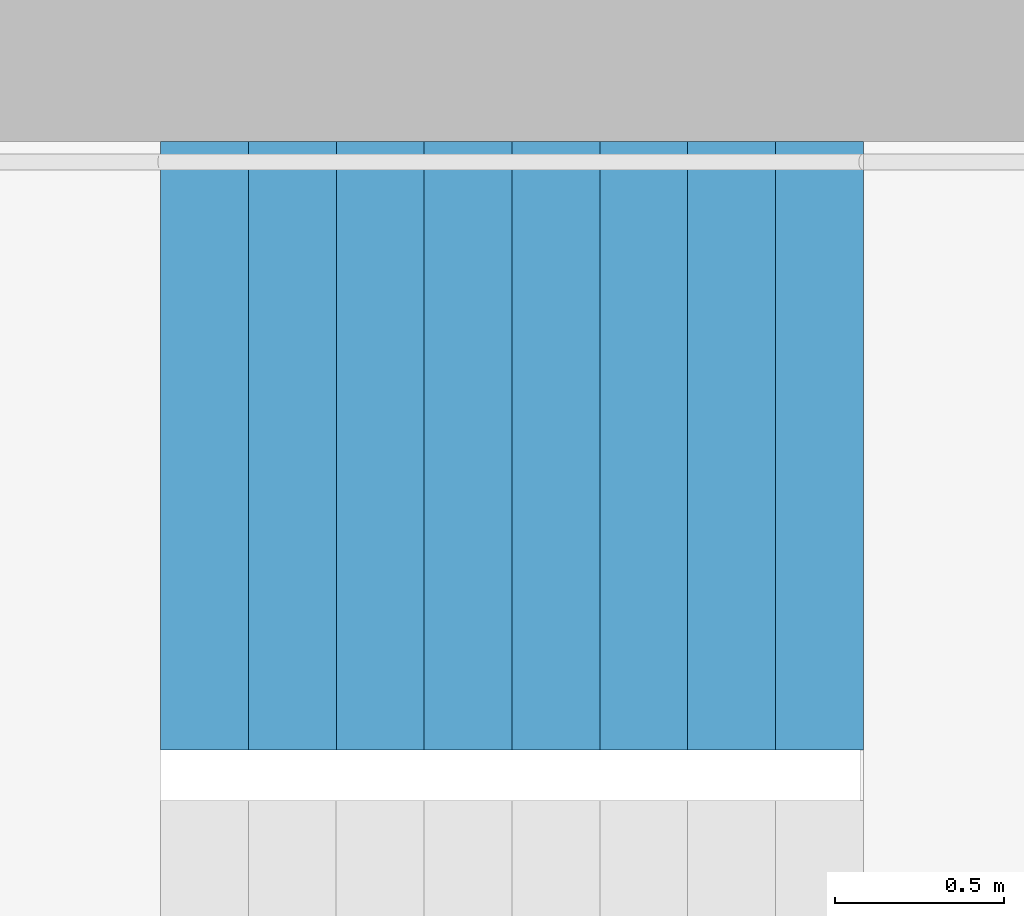
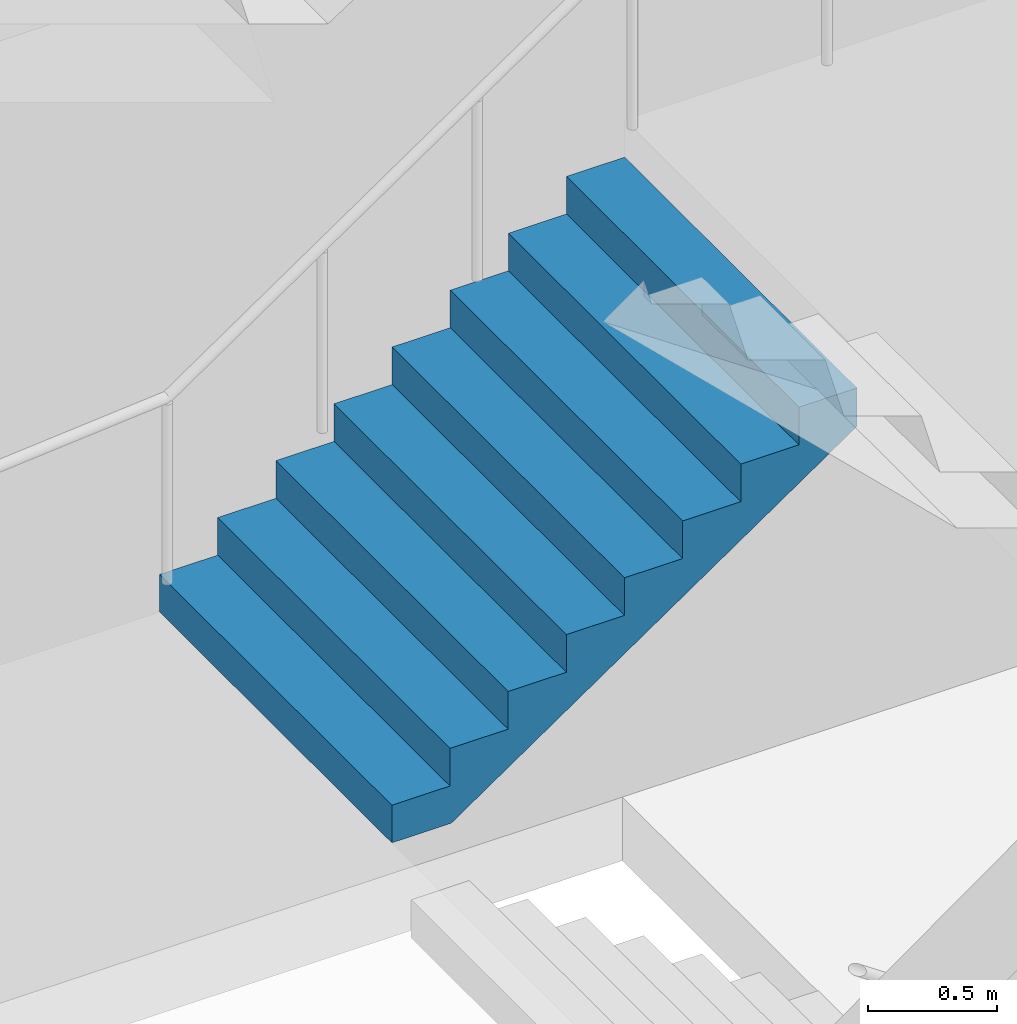
# One storey, part 31 of 43: 1 stair flight, 1 element without a shape of its own.
"""IFC4 building model written with IfcOpenShell, lengths in metres."""

from ifc_helpers import new_model, si_unit, direction, frame, origin, place, context, subcontext, project, spatial, triangles, material, type_object, element, aggregate, save


model = new_model("IFC4")

# Units and contexts
model_context = context("Model", 3, precision=1e-05, world=origin(), true_north=direction((0.0, 1.0)))
body_context = subcontext(model_context, "Body", "Model", "MODEL_VIEW")
ifc_project = project(units=[si_unit("LENGTHUNIT", "METRE"), si_unit("AREAUNIT", "SQUARE_METRE"), si_unit("VOLUMEUNIT", "CUBIC_METRE"), si_unit("PLANEANGLEUNIT", "RADIAN"), si_unit("MASSUNIT", "GRAM", prefix="KILO")], contexts=[model_context])

# Site, building, storey
site_placement = place(None, origin())
site = spatial("IfcSite", under=ifc_project, at=site_placement, CompositionType="ELEMENT")
building_placement = place(site_placement, origin())
building = spatial("IfcBuilding", under=site, at=building_placement, Name="Hakoniwa Tower and Hamabe Station Hall", CompositionType="ELEMENT")
storey_placement = place(building_placement, frame((0.0, 0.0, 124.60009765625)))
storey = spatial("IfcBuildingStorey", under=building, at=storey_placement, Name="L35", CompositionType="ELEMENT", Elevation=124.60009765625)

# Stair, stair flight
ifc_material_1 = material(Name="Concrete C40", Category="concrete")
stair_type = type_object("IfcStairType", Name="ESCAPE STAIR 1800", PredefinedType="HALF_TURN_STAIR", material=ifc_material_1)
stair_placement = place(storey_placement, origin())
stair = element("IfcStair", 1, at=stair_placement, inside=storey, type_object=stair_type, Name="Escape stair ST-3 L35", PredefinedType="HALF_TURN_STAIR")
ifc_material_2 = material(Name="Concrete C40", Category="concrete")
stair_flight_type = type_object("IfcStairFlightType", Name="STAIR FLIGHT 1800", PredefinedType="STRAIGHT", material=ifc_material_2)
stair_flight_placement = place(storey_placement, frame((22.320068359375, 6.60009765625, 1.599853515625), z_axis=(0.0, 0.0, 1.0), x_axis=(1.0, 0.0, 0.0)))
stair_flight = element("IfcStairFlight", 2, at=stair_flight_placement, type_object=stair_flight_type, Name="ST-3 flight 2", NumberOfRisers=9, NumberOfTreads=8, PredefinedType="STRAIGHT", RiserHeight=0.177777778, TreadLength=0.26, context=body_context, shape_type="Tessellation", body=[
    triangles([(0.0, 0.89990234375, 0.0), (0.260009765625, 0.89990234375, 0.0), (0.265625, 0.89990234375, 0.0), (0.52001953125, 0.89990234375, 0.174072265625), (0.780029296875, 0.89990234375, 0.351806640625), (1.0400390625, 0.89990234375, 0.529541015625), (1.300048828125, 0.89990234375, 0.707275390625), (1.56005859375, 0.89990234375, 0.885009765625), (1.820068359375, 0.89990234375, 1.062744140625), (2.080078125, 0.89990234375, 1.24072265625), (2.080078125, 0.89990234375, 1.422119140625), (1.820068359375, 0.89990234375, 1.422119140625), (1.820068359375, 0.89990234375, 1.244384765625), (1.56005859375, 0.89990234375, 1.244384765625), (1.56005859375, 0.89990234375, 1.066650390625), (1.300048828125, 0.89990234375, 1.066650390625), (1.300048828125, 0.89990234375, 0.888916015625), (1.0400390625, 0.89990234375, 0.888916015625), (1.0400390625, 0.89990234375, 0.711181640625), (0.780029296875, 0.89990234375, 0.711181640625), (0.780029296875, 0.89990234375, 0.533447265625), (0.52001953125, 0.89990234375, 0.533447265625), (0.52001953125, 0.89990234375, 0.35546875), (0.265625, 0.89990234375, 0.35546875), (0.260009765625, 0.89990234375, 0.35546875), (0.260009765625, 0.89990234375, 0.177734375), (0.0, 0.89990234375, 0.177734375), (0.0, 0.06005859375, 0.0), (0.260009765625, 0.06005859375, 0.0), (0.265625, 0.06005859375, 0.0), (0.52001953125, 0.06005859375, 0.174072265625), (0.780029296875, 0.06005859375, 0.351806640625), (1.0400390625, 0.06005859375, 0.529541015625), (1.300048828125, 0.06005859375, 0.707275390625), (1.56005859375, 0.06005859375, 0.885009765625), (1.820068359375, 0.06005859375, 1.062744140625), (2.080078125, 0.06005859375, 1.24072265625), (2.080078125, 0.06005859375, 1.422119140625), (1.820068359375, 0.06005859375, 1.422119140625), (1.820068359375, 0.06005859375, 1.244384765625), (1.56005859375, 0.06005859375, 1.244384765625), (1.56005859375, 0.06005859375, 1.066650390625), (1.300048828125, 0.06005859375, 1.066650390625), (1.300048828125, 0.06005859375, 0.888916015625), (1.0400390625, 0.06005859375, 0.888916015625), (1.0400390625, 0.06005859375, 0.711181640625), (0.780029296875, 0.06005859375, 0.711181640625), (0.780029296875, 0.06005859375, 0.533447265625), (0.52001953125, 0.06005859375, 0.533447265625), (0.52001953125, 0.06005859375, 0.35546875), (0.265625, 0.06005859375, 0.35546875), (0.260009765625, 0.06005859375, 0.35546875), (0.260009765625, 0.06005859375, 0.177734375), (0.0, 0.06005859375, 0.177734375), (0.0, 0.04296875, 0.0), (0.260009765625, 0.04296875, 0.0), (0.265625, 0.04296875, 0.0), (0.52001953125, 0.04296875, 0.174072265625), (0.780029296875, 0.04296875, 0.351806640625), (1.0400390625, 0.04296875, 0.529541015625), (1.300048828125, 0.04296875, 0.707275390625), (1.56005859375, 0.04296875, 0.885009765625), (1.820068359375, 0.04296875, 1.062744140625), (2.080078125, 0.04296875, 1.24072265625), (2.080078125, 0.04296875, 1.422119140625), (1.820068359375, 0.04296875, 1.422119140625), (1.820068359375, 0.04296875, 1.244384765625), (1.56005859375, 0.04296875, 1.244384765625), (1.56005859375, 0.04296875, 1.066650390625), (1.300048828125, 0.04296875, 1.066650390625), (1.300048828125, 0.04296875, 0.888916015625), (1.0400390625, 0.04296875, 0.888916015625), (1.0400390625, 0.04296875, 0.711181640625), (0.780029296875, 0.04296875, 0.711181640625), (0.780029296875, 0.04296875, 0.533447265625), (0.52001953125, 0.04296875, 0.533447265625), (0.52001953125, 0.04296875, 0.35546875), (0.265625, 0.04296875, 0.35546875), (0.260009765625, 0.04296875, 0.35546875), (0.260009765625, 0.04296875, 0.177734375), (0.0, 0.04296875, 0.177734375), (0.0, 0.025634765625, 0.0), (0.260009765625, 0.025634765625, 0.0), (0.265625, 0.025634765625, 0.0), (0.52001953125, 0.025634765625, 0.174072265625), (0.780029296875, 0.025634765625, 0.351806640625), (1.0400390625, 0.025634765625, 0.529541015625), (1.300048828125, 0.025634765625, 0.707275390625), (1.56005859375, 0.025634765625, 0.885009765625), (1.820068359375, 0.025634765625, 1.062744140625), (2.080078125, 0.025634765625, 1.24072265625), (2.080078125, 0.025634765625, 1.422119140625), (1.820068359375, 0.025634765625, 1.422119140625), (1.820068359375, 0.025634765625, 1.244384765625), (1.56005859375, 0.025634765625, 1.244384765625), (1.56005859375, 0.025634765625, 1.066650390625), (1.300048828125, 0.025634765625, 1.066650390625), (1.300048828125, 0.025634765625, 0.888916015625), (1.0400390625, 0.025634765625, 0.888916015625), (1.0400390625, 0.025634765625, 0.711181640625), (0.780029296875, 0.025634765625, 0.711181640625), (0.780029296875, 0.025634765625, 0.533447265625), (0.52001953125, 0.025634765625, 0.533447265625), (0.52001953125, 0.025634765625, 0.35546875), (0.265625, 0.025634765625, 0.35546875), (0.260009765625, 0.025634765625, 0.35546875), (0.260009765625, 0.025634765625, 0.177734375), (0.0, 0.025634765625, 0.177734375), (0.0, 0.008544921875, 0.0), (0.260009765625, 0.008544921875, 0.0), (0.265625, 0.008544921875, 0.0), (0.52001953125, 0.008544921875, 0.174072265625), (0.780029296875, 0.008544921875, 0.351806640625), (1.0400390625, 0.008544921875, 0.529541015625), (1.300048828125, 0.008544921875, 0.707275390625), (1.56005859375, 0.008544921875, 0.885009765625), (1.820068359375, 0.008544921875, 1.062744140625), (2.080078125, 0.008544921875, 1.24072265625), (2.080078125, 0.008544921875, 1.422119140625), (1.820068359375, 0.008544921875, 1.422119140625), (1.820068359375, 0.008544921875, 1.244384765625), (1.56005859375, 0.008544921875, 1.244384765625), (1.56005859375, 0.008544921875, 1.066650390625), (1.300048828125, 0.008544921875, 1.066650390625), (1.300048828125, 0.008544921875, 0.888916015625), (1.0400390625, 0.008544921875, 0.888916015625), (1.0400390625, 0.008544921875, 0.711181640625), (0.780029296875, 0.008544921875, 0.711181640625), (0.780029296875, 0.008544921875, 0.533447265625), (0.52001953125, 0.008544921875, 0.533447265625), (0.52001953125, 0.008544921875, 0.35546875), (0.265625, 0.008544921875, 0.35546875), (0.260009765625, 0.008544921875, 0.35546875), (0.260009765625, 0.008544921875, 0.177734375), (0.0, 0.008544921875, 0.177734375), (0.0, -0.008544921875, 0.0), (0.260009765625, -0.008544921875, 0.0), (0.265625, -0.008544921875, 0.0), (0.52001953125, -0.008544921875, 0.174072265625), (0.780029296875, -0.008544921875, 0.351806640625), (1.0400390625, -0.008544921875, 0.529541015625), (1.300048828125, -0.008544921875, 0.707275390625), (1.56005859375, -0.008544921875, 0.885009765625), (1.820068359375, -0.008544921875, 1.062744140625), (2.080078125, -0.008544921875, 1.24072265625), (2.080078125, -0.008544921875, 1.422119140625), (1.820068359375, -0.008544921875, 1.422119140625), (1.820068359375, -0.008544921875, 1.244384765625), (1.56005859375, -0.008544921875, 1.244384765625), (1.56005859375, -0.008544921875, 1.066650390625), (1.300048828125, -0.008544921875, 1.066650390625), (1.300048828125, -0.008544921875, 0.888916015625), (1.0400390625, -0.008544921875, 0.888916015625), (1.0400390625, -0.008544921875, 0.711181640625), (0.780029296875, -0.008544921875, 0.711181640625), (0.780029296875, -0.008544921875, 0.533447265625), (0.52001953125, -0.008544921875, 0.533447265625), (0.52001953125, -0.008544921875, 0.35546875), (0.265625, -0.008544921875, 0.35546875), (0.260009765625, -0.008544921875, 0.35546875), (0.260009765625, -0.008544921875, 0.177734375), (0.0, -0.008544921875, 0.177734375), (0.0, -0.025634765625, 0.0), (0.260009765625, -0.025634765625, 0.0), (0.265625, -0.025634765625, 0.0), (0.52001953125, -0.025634765625, 0.174072265625), (0.780029296875, -0.025634765625, 0.351806640625), (1.0400390625, -0.025634765625, 0.529541015625), (1.300048828125, -0.025634765625, 0.707275390625), (1.56005859375, -0.025634765625, 0.885009765625), (1.820068359375, -0.025634765625, 1.062744140625), (2.080078125, -0.025634765625, 1.24072265625), (2.080078125, -0.025634765625, 1.422119140625), (1.820068359375, -0.025634765625, 1.422119140625), (1.820068359375, -0.025634765625, 1.244384765625), (1.56005859375, -0.025634765625, 1.244384765625), (1.56005859375, -0.025634765625, 1.066650390625), (1.300048828125, -0.025634765625, 1.066650390625), (1.300048828125, -0.025634765625, 0.888916015625), (1.0400390625, -0.025634765625, 0.888916015625), (1.0400390625, -0.025634765625, 0.711181640625), (0.780029296875, -0.025634765625, 0.711181640625), (0.780029296875, -0.025634765625, 0.533447265625), (0.52001953125, -0.025634765625, 0.533447265625), (0.52001953125, -0.025634765625, 0.35546875), (0.265625, -0.025634765625, 0.35546875), (0.260009765625, -0.025634765625, 0.35546875), (0.260009765625, -0.025634765625, 0.177734375), (0.0, -0.025634765625, 0.177734375), (0.0, -0.04296875, 0.0), (0.260009765625, -0.04296875, 0.0), (0.265625, -0.04296875, 0.0), (0.52001953125, -0.04296875, 0.174072265625), (0.780029296875, -0.04296875, 0.351806640625), (1.0400390625, -0.04296875, 0.529541015625), (1.300048828125, -0.04296875, 0.707275390625), (1.56005859375, -0.04296875, 0.885009765625), (1.820068359375, -0.04296875, 1.062744140625), (2.080078125, -0.04296875, 1.24072265625), (2.080078125, -0.04296875, 1.422119140625), (1.820068359375, -0.04296875, 1.422119140625), (1.820068359375, -0.04296875, 1.244384765625), (1.56005859375, -0.04296875, 1.244384765625), (1.56005859375, -0.04296875, 1.066650390625), (1.300048828125, -0.04296875, 1.066650390625), (1.300048828125, -0.04296875, 0.888916015625), (1.0400390625, -0.04296875, 0.888916015625), (1.0400390625, -0.04296875, 0.711181640625), (0.780029296875, -0.04296875, 0.711181640625), (0.780029296875, -0.04296875, 0.533447265625), (0.52001953125, -0.04296875, 0.533447265625), (0.52001953125, -0.04296875, 0.35546875), (0.265625, -0.04296875, 0.35546875), (0.260009765625, -0.04296875, 0.35546875), (0.260009765625, -0.04296875, 0.177734375), (0.0, -0.04296875, 0.177734375), (0.0, -0.06005859375, 0.0), (0.260009765625, -0.06005859375, 0.0), (0.265625, -0.06005859375, 0.0), (0.52001953125, -0.06005859375, 0.174072265625), (0.780029296875, -0.06005859375, 0.351806640625), (1.0400390625, -0.06005859375, 0.529541015625), (1.300048828125, -0.06005859375, 0.707275390625), (1.56005859375, -0.06005859375, 0.885009765625), (1.820068359375, -0.06005859375, 1.062744140625), (2.080078125, -0.06005859375, 1.24072265625), (2.080078125, -0.06005859375, 1.422119140625), (1.820068359375, -0.06005859375, 1.422119140625), (1.820068359375, -0.06005859375, 1.244384765625), (1.56005859375, -0.06005859375, 1.244384765625), (1.56005859375, -0.06005859375, 1.066650390625), (1.300048828125, -0.06005859375, 1.066650390625), (1.300048828125, -0.06005859375, 0.888916015625), (1.0400390625, -0.06005859375, 0.888916015625), (1.0400390625, -0.06005859375, 0.711181640625), (0.780029296875, -0.06005859375, 0.711181640625), (0.780029296875, -0.06005859375, 0.533447265625), (0.52001953125, -0.06005859375, 0.533447265625), (0.52001953125, -0.06005859375, 0.35546875), (0.265625, -0.06005859375, 0.35546875), (0.260009765625, -0.06005859375, 0.35546875), (0.260009765625, -0.06005859375, 0.177734375), (0.0, -0.06005859375, 0.177734375), (0.0, -0.89990234375, 0.0), (0.260009765625, -0.89990234375, 0.0), (0.265625, -0.89990234375, 0.0), (0.52001953125, -0.89990234375, 0.174072265625), (0.780029296875, -0.89990234375, 0.351806640625), (1.0400390625, -0.89990234375, 0.529541015625), (1.300048828125, -0.89990234375, 0.707275390625), (1.56005859375, -0.89990234375, 0.885009765625), (1.820068359375, -0.89990234375, 1.062744140625), (2.080078125, -0.89990234375, 1.24072265625), (2.080078125, -0.89990234375, 1.422119140625), (1.820068359375, -0.89990234375, 1.422119140625), (1.820068359375, -0.89990234375, 1.244384765625), (1.56005859375, -0.89990234375, 1.244384765625), (1.56005859375, -0.89990234375, 1.066650390625), (1.300048828125, -0.89990234375, 1.066650390625), (1.300048828125, -0.89990234375, 0.888916015625), (1.0400390625, -0.89990234375, 0.888916015625), (1.0400390625, -0.89990234375, 0.711181640625), (0.780029296875, -0.89990234375, 0.711181640625), (0.780029296875, -0.89990234375, 0.533447265625), (0.52001953125, -0.89990234375, 0.533447265625), (0.52001953125, -0.89990234375, 0.35546875), (0.265625, -0.89990234375, 0.35546875), (0.260009765625, -0.89990234375, 0.35546875), (0.260009765625, -0.89990234375, 0.177734375), (0.0, -0.89990234375, 0.177734375)], [[2, 27, 26], [245, 269, 270], [2, 1, 27], [245, 270, 244], [3, 25, 24], [246, 267, 268], [3, 26, 25], [246, 268, 269], [3, 2, 26], [246, 269, 245], [4, 24, 23], [247, 266, 267], [4, 3, 24], [247, 267, 246], [5, 22, 21], [248, 264, 265], [5, 23, 22], [248, 265, 266], [5, 4, 23], [248, 266, 247], [6, 20, 19], [249, 262, 263], [6, 21, 20], [249, 263, 264], [6, 5, 21], [249, 264, 248], [7, 18, 17], [250, 260, 261], [7, 19, 18], [250, 261, 262], [7, 6, 19], [250, 262, 249], [8, 16, 15], [251, 258, 259], [8, 17, 16], [251, 259, 260], [8, 7, 17], [251, 260, 250], [9, 14, 13], [252, 256, 257], [9, 15, 14], [252, 257, 258], [9, 8, 15], [252, 258, 251], [10, 12, 11], [253, 254, 255], [10, 13, 12], [253, 255, 256], [10, 9, 13], [253, 256, 252], [1, 2, 29], [1, 29, 28], [28, 29, 56], [28, 56, 55], [55, 56, 83], [55, 83, 82], [82, 83, 110], [82, 110, 109], [109, 110, 137], [109, 137, 136], [136, 137, 164], [136, 164, 163], [163, 164, 191], [163, 191, 190], [190, 191, 218], [190, 218, 217], [217, 218, 245], [217, 245, 244], [2, 3, 30], [2, 30, 29], [29, 30, 57], [29, 57, 56], [56, 57, 84], [56, 84, 83], [83, 84, 111], [83, 111, 110], [110, 111, 138], [110, 138, 137], [137, 138, 165], [137, 165, 164], [164, 165, 192], [164, 192, 191], [191, 192, 219], [191, 219, 218], [218, 219, 246], [218, 246, 245], [3, 4, 31], [3, 31, 30], [30, 31, 58], [30, 58, 57], [57, 58, 85], [57, 85, 84], [84, 85, 112], [84, 112, 111], [111, 112, 139], [111, 139, 138], [138, 139, 166], [138, 166, 165], [165, 166, 193], [165, 193, 192], [192, 193, 220], [192, 220, 219], [219, 220, 247], [219, 247, 246], [4, 5, 32], [4, 32, 31], [31, 32, 59], [31, 59, 58], [58, 59, 86], [58, 86, 85], [85, 86, 113], [85, 113, 112], [112, 113, 140], [112, 140, 139], [139, 140, 167], [139, 167, 166], [166, 167, 194], [166, 194, 193], [193, 194, 221], [193, 221, 220], [220, 221, 248], [220, 248, 247], [5, 6, 33], [5, 33, 32], [32, 33, 60], [32, 60, 59], [59, 60, 87], [59, 87, 86], [86, 87, 114], [86, 114, 113], [113, 114, 141], [113, 141, 140], [140, 141, 168], [140, 168, 167], [167, 168, 195], [167, 195, 194], [194, 195, 222], [194, 222, 221], [221, 222, 249], [221, 249, 248], [6, 7, 34], [6, 34, 33], [33, 34, 61], [33, 61, 60], [60, 61, 88], [60, 88, 87], [87, 88, 115], [87, 115, 114], [114, 115, 142], [114, 142, 141], [141, 142, 169], [141, 169, 168], [168, 169, 196], [168, 196, 195], [195, 196, 223], [195, 223, 222], [222, 223, 250], [222, 250, 249], [7, 8, 35], [7, 35, 34], [34, 35, 62], [34, 62, 61], [61, 62, 89], [61, 89, 88], [88, 89, 116], [88, 116, 115], [115, 116, 143], [115, 143, 142], [142, 143, 170], [142, 170, 169], [169, 170, 197], [169, 197, 196], [196, 197, 224], [196, 224, 223], [223, 224, 251], [223, 251, 250], [8, 9, 36], [8, 36, 35], [35, 36, 63], [35, 63, 62], [62, 63, 90], [62, 90, 89], [89, 90, 117], [89, 117, 116], [116, 117, 144], [116, 144, 143], [143, 144, 171], [143, 171, 170], [170, 171, 198], [170, 198, 197], [197, 198, 225], [197, 225, 224], [224, 225, 252], [224, 252, 251], [9, 10, 37], [9, 37, 36], [36, 37, 64], [36, 64, 63], [63, 64, 91], [63, 91, 90], [90, 91, 118], [90, 118, 117], [117, 118, 145], [117, 145, 144], [144, 145, 172], [144, 172, 171], [171, 172, 199], [171, 199, 198], [198, 199, 226], [198, 226, 225], [225, 226, 253], [225, 253, 252], [10, 11, 38], [10, 38, 37], [37, 38, 65], [37, 65, 64], [64, 65, 92], [64, 92, 91], [91, 92, 119], [91, 119, 118], [118, 119, 146], [118, 146, 145], [145, 146, 173], [145, 173, 172], [172, 173, 200], [172, 200, 199], [199, 200, 227], [199, 227, 226], [226, 227, 254], [226, 254, 253], [11, 12, 39], [11, 39, 38], [38, 39, 66], [38, 66, 65], [65, 66, 93], [65, 93, 92], [92, 93, 120], [92, 120, 119], [119, 120, 147], [119, 147, 146], [146, 147, 174], [146, 174, 173], [173, 174, 201], [173, 201, 200], [200, 201, 228], [200, 228, 227], [227, 228, 255], [227, 255, 254], [12, 13, 40], [12, 40, 39], [39, 40, 67], [39, 67, 66], [66, 67, 94], [66, 94, 93], [93, 94, 121], [93, 121, 120], [120, 121, 148], [120, 148, 147], [147, 148, 175], [147, 175, 174], [174, 175, 202], [174, 202, 201], [201, 202, 229], [201, 229, 228], [228, 229, 256], [228, 256, 255], [13, 14, 41], [13, 41, 40], [40, 41, 68], [40, 68, 67], [67, 68, 95], [67, 95, 94], [94, 95, 122], [94, 122, 121], [121, 122, 149], [121, 149, 148], [148, 149, 176], [148, 176, 175], [175, 176, 203], [175, 203, 202], [202, 203, 230], [202, 230, 229], [229, 230, 257], [229, 257, 256], [14, 15, 42], [14, 42, 41], [41, 42, 69], [41, 69, 68], [68, 69, 96], [68, 96, 95], [95, 96, 123], [95, 123, 122], [122, 123, 150], [122, 150, 149], [149, 150, 177], [149, 177, 176], [176, 177, 204], [176, 204, 203], [203, 204, 231], [203, 231, 230], [230, 231, 258], [230, 258, 257], [15, 16, 43], [15, 43, 42], [42, 43, 70], [42, 70, 69], [69, 70, 97], [69, 97, 96], [96, 97, 124], [96, 124, 123], [123, 124, 151], [123, 151, 150], [150, 151, 178], [150, 178, 177], [177, 178, 205], [177, 205, 204], [204, 205, 232], [204, 232, 231], [231, 232, 259], [231, 259, 258], [16, 17, 44], [16, 44, 43], [43, 44, 71], [43, 71, 70], [70, 71, 98], [70, 98, 97], [97, 98, 125], [97, 125, 124], [124, 125, 152], [124, 152, 151], [151, 152, 179], [151, 179, 178], [178, 179, 206], [178, 206, 205], [205, 206, 233], [205, 233, 232], [232, 233, 260], [232, 260, 259], [17, 18, 45], [17, 45, 44], [44, 45, 72], [44, 72, 71], [71, 72, 99], [71, 99, 98], [98, 99, 126], [98, 126, 125], [125, 126, 153], [125, 153, 152], [152, 153, 180], [152, 180, 179], [179, 180, 207], [179, 207, 206], [206, 207, 234], [206, 234, 233], [233, 234, 261], [233, 261, 260], [18, 19, 46], [18, 46, 45], [45, 46, 73], [45, 73, 72], [72, 73, 100], [72, 100, 99], [99, 100, 127], [99, 127, 126], [126, 127, 154], [126, 154, 153], [153, 154, 181], [153, 181, 180], [180, 181, 208], [180, 208, 207], [207, 208, 235], [207, 235, 234], [234, 235, 262], [234, 262, 261], [19, 20, 47], [19, 47, 46], [46, 47, 74], [46, 74, 73], [73, 74, 101], [73, 101, 100], [100, 101, 128], [100, 128, 127], [127, 128, 155], [127, 155, 154], [154, 155, 182], [154, 182, 181], [181, 182, 209], [181, 209, 208], [208, 209, 236], [208, 236, 235], [235, 236, 263], [235, 263, 262], [20, 21, 48], [20, 48, 47], [47, 48, 75], [47, 75, 74], [74, 75, 102], [74, 102, 101], [101, 102, 129], [101, 129, 128], [128, 129, 156], [128, 156, 155], [155, 156, 183], [155, 183, 182], [182, 183, 210], [182, 210, 209], [209, 210, 237], [209, 237, 236], [236, 237, 264], [236, 264, 263], [21, 22, 49], [21, 49, 48], [48, 49, 76], [48, 76, 75], [75, 76, 103], [75, 103, 102], [102, 103, 130], [102, 130, 129], [129, 130, 157], [129, 157, 156], [156, 157, 184], [156, 184, 183], [183, 184, 211], [183, 211, 210], [210, 211, 238], [210, 238, 237], [237, 238, 265], [237, 265, 264], [22, 23, 50], [22, 50, 49], [49, 50, 77], [49, 77, 76], [76, 77, 104], [76, 104, 103], [103, 104, 131], [103, 131, 130], [130, 131, 158], [130, 158, 157], [157, 158, 185], [157, 185, 184], [184, 185, 212], [184, 212, 211], [211, 212, 239], [211, 239, 238], [238, 239, 266], [238, 266, 265], [23, 24, 51], [23, 51, 50], [50, 51, 78], [50, 78, 77], [77, 78, 105], [77, 105, 104], [104, 105, 132], [104, 132, 131], [131, 132, 159], [131, 159, 158], [158, 159, 186], [158, 186, 185], [185, 186, 213], [185, 213, 212], [212, 213, 240], [212, 240, 239], [239, 240, 267], [239, 267, 266], [24, 25, 52], [24, 52, 51], [51, 52, 79], [51, 79, 78], [78, 79, 106], [78, 106, 105], [105, 106, 133], [105, 133, 132], [132, 133, 160], [132, 160, 159], [159, 160, 187], [159, 187, 186], [186, 187, 214], [186, 214, 213], [213, 214, 241], [213, 241, 240], [240, 241, 268], [240, 268, 267], [25, 26, 53], [25, 53, 52], [52, 53, 80], [52, 80, 79], [79, 80, 107], [79, 107, 106], [106, 107, 134], [106, 134, 133], [133, 134, 161], [133, 161, 160], [160, 161, 188], [160, 188, 187], [187, 188, 215], [187, 215, 214], [214, 215, 242], [214, 242, 241], [241, 242, 269], [241, 269, 268], [26, 27, 54], [26, 54, 53], [53, 54, 81], [53, 81, 80], [80, 81, 108], [80, 108, 107], [107, 108, 135], [107, 135, 134], [134, 135, 162], [134, 162, 161], [161, 162, 189], [161, 189, 188], [188, 189, 216], [188, 216, 215], [215, 216, 243], [215, 243, 242], [242, 243, 270], [242, 270, 269], [27, 1, 28], [27, 28, 54], [54, 28, 55], [54, 55, 81], [81, 55, 82], [81, 82, 108], [108, 82, 109], [108, 109, 135], [135, 109, 136], [135, 136, 162], [162, 136, 163], [162, 163, 189], [189, 163, 190], [189, 190, 216], [216, 190, 217], [216, 217, 243], [243, 217, 244], [243, 244, 270]], closed=True),
])
aggregate(stair, [stair_flight])

save(model, "model.ifc")
